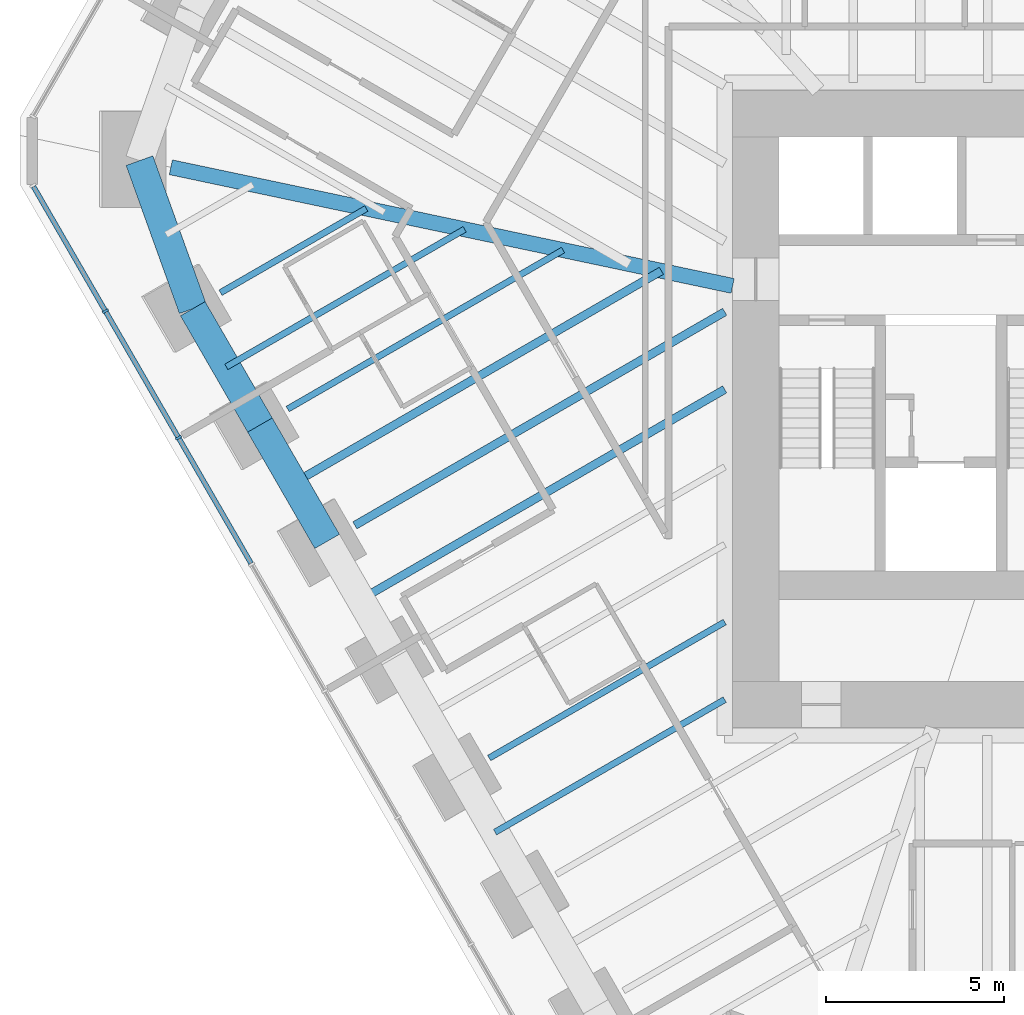
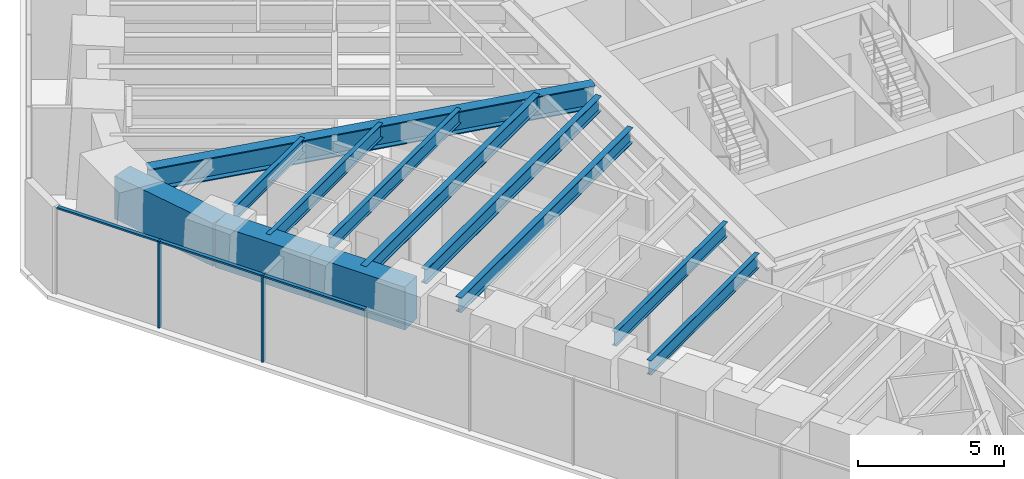
# One storey, part 3 of 17: 12 beams, 5 members, 1 element without a shape of its own.
"""IFC4 building model written with IfcOpenShell, lengths in metres."""

from ifc_helpers import new_model, si_unit, direction, frame, origin, origin_2d, place, context, subcontext, project, spatial, rectangle, i_section, extrude, material, material_profile, profile_set, type_object, element, aggregate, save


model = new_model("IFC4")

# Units and contexts
model_context = context("Model", 3, precision=1e-05, world=origin(), true_north=direction((0.0, 1.0)))
body_context = subcontext(model_context, "Body", "Model", "MODEL_VIEW")
ifc_project = project(units=[si_unit("LENGTHUNIT", "METRE"), si_unit("AREAUNIT", "SQUARE_METRE"), si_unit("VOLUMEUNIT", "CUBIC_METRE"), si_unit("PLANEANGLEUNIT", "RADIAN"), si_unit("MASSUNIT", "GRAM", prefix="KILO")], contexts=[model_context])

# Site, building, storey
site_placement = place(None, origin())
site = spatial("IfcSite", under=ifc_project, at=site_placement, CompositionType="ELEMENT")
building_placement = place(site_placement, origin())
building = spatial("IfcBuilding", under=site, at=building_placement, Name="Sandreach Pilgrim Tower", CompositionType="ELEMENT")
storey_placement = place(building_placement, frame((0.0, 0.0, 165.199951171875)))
storey = spatial("IfcBuildingStorey", under=building, at=storey_placement, Name="L41", CompositionType="ELEMENT", Elevation=165.199951171875)

# Curtain wall, members
ifc_material_1 = material(Name="Aluminium framed curtain wall", Category="aluminium")
curtain_wall_type = type_object("IfcCurtainWallType", Name="Hotel tower curtain wall", PredefinedType="NOTDEFINED", material=ifc_material_1)
curtain_wall_placement = place(storey_placement, origin())
curtain_wall = element("IfcCurtainWall", 1, at=curtain_wall_placement, inside=storey, type_object=curtain_wall_type, Name="CW-2 L41 SW", PredefinedType="NOTDEFINED")
ifc_material_2 = material(Name="Aluminium extrusion", Category="aluminium")
ifc_material_profile_1 = material_profile(ifc_material_2, rectangle(XDim=0.06494140625, YDim=0.179931640625, at=origin_2d()), Name="CW-2M 65X180")
ifc_profile_set_1 = profile_set([ifc_material_profile_1], Name="Aluminium extrusion")
member_type_1 = type_object("IfcMemberType", Name="CW-2 mullion", PredefinedType="MULLION", material=ifc_profile_set_1)
member_1_placement = place(storey_placement, frame((-24.614013671875, -2.35498046875, 0.0), z_axis=(0.0, 0.0, 1.0), x_axis=(-0.5, 0.866025403784, 0.0)))
member_1 = element("IfcMember", 2, at=member_1_placement, type_object=member_type_1, Name="CW-2 mullion 8", PredefinedType="MULLION", context=body_context, shape_type="SweptSolid", body=[
    extrude(rectangle(XDim=0.06494140625, YDim=0.179931640625, at=origin_2d()), origin(), (0.0, 0.0, 1.0), 3.64013671875),
])
member_2_placement = place(storey_placement, frame((-26.66748046875, 1.20166015625, 0.0), z_axis=(0.0, 0.0, 1.0), x_axis=(-0.5, 0.866025403784, 0.0)))
member_2 = element("IfcMember", 3, at=member_2_placement, type_object=member_type_1, Name="CW-2 mullion 9", PredefinedType="MULLION", context=body_context, shape_type="SweptSolid", body=[
    extrude(rectangle(XDim=0.06494140625, YDim=0.179931640625, at=origin_2d()), origin(), (0.0, 0.0, 1.0), 3.64013671875),
])
ifc_material_3 = material(Name="Aluminium extrusion", Category="aluminium")
ifc_material_profile_2 = material_profile(ifc_material_3, rectangle(XDim=0.139892578125, YDim=0.070068359375, at=origin_2d()), Name="CW-2T 140X70")
ifc_profile_set_2 = profile_set([ifc_material_profile_2], Name="Aluminium extrusion")
member_type_2 = type_object("IfcMemberType", Name="CW-2 transom", PredefinedType="USERDEFINED", material=ifc_profile_set_2)
member_3_placement = place(storey_placement, frame((-22.57666015625, -5.883544921875, 3.60498046875), z_axis=(-0.500023973715, 0.866011562111, 0.0), x_axis=(-0.866011562111, -0.500023973715, 0.0)))
member_3 = element("IfcMember", 4, at=member_3_placement, type_object=member_type_2, Name="CW-2 head transom 7", ObjectType="TRANSOM", PredefinedType="USERDEFINED", context=body_context, shape_type="SweptSolid", body=[
    extrude(rectangle(XDim=0.139892578125, YDim=0.070068359375, at=origin_2d()), origin(), (0.0, 0.0, 1.0), 4.041748046875),
])
member_4_placement = place(storey_placement, frame((-24.630126953125, -2.326904296875, 3.60498046875), z_axis=(-0.499997818338, 0.866026663364, 0.0), x_axis=(-0.866026663364, -0.499997818338, 0.0)))
member_4 = element("IfcMember", 5, at=member_4_placement, type_object=member_type_2, Name="CW-2 head transom 8", ObjectType="TRANSOM", PredefinedType="USERDEFINED", context=body_context, shape_type="SweptSolid", body=[
    extrude(rectangle(XDim=0.139892578125, YDim=0.070068359375, at=origin_2d()), origin(), (0.0, 0.0, 1.0), 4.0419921875),
])
member_5_placement = place(storey_placement, frame((-26.68359375, 1.229736328125, 3.60498046875), z_axis=(-0.500015851672, 0.866016251624, 0.0), x_axis=(-0.866016251624, -0.500015851672, 0.0)))
member_5 = element("IfcMember", 6, at=member_5_placement, type_object=member_type_2, Name="CW-2 head transom 9", ObjectType="TRANSOM", PredefinedType="USERDEFINED", context=body_context, shape_type="SweptSolid", body=[
    extrude(rectangle(XDim=0.139892578125, YDim=0.070068359375, at=origin_2d()), origin(), (0.0, 0.0, 1.0), 4.009521484375),
])
aggregate(curtain_wall, [member_1, member_2, member_3, member_4, member_5])

# Beams
ifc_material_4 = material(Name="Steel ASTM A992 Grade 50", Category="steel")
ifc_material_profile_3 = material_profile(ifc_material_4, i_section(OverallWidth=0.424072265625, OverallDepth=0.947509765625, WebThickness=0.02392578125, FlangeThickness=0.042724609375, at=origin_2d()), Name="W36X302")
ifc_profile_set_3 = profile_set([ifc_material_profile_3], Name="Steel ASTM A992 Grade 50")
beam_type_1 = type_object("IfcBeamType", Name="Corner girder W36X302", PredefinedType="BEAM", material=ifc_profile_set_3)
beam_1_placement = place(storey_placement, frame((-24.830810546875, 5.24267578125, 3.166259765625), z_axis=(0.978427553331, -0.206590229398, 0.0), x_axis=(0.206590229398, 0.978427553331, 0.0)))
element("IfcBeam", 7, at=beam_1_placement, inside=storey, type_object=beam_type_1, Name="BM L41 CG35", PredefinedType="BEAM", context=body_context, shape_type="SweptSolid", body=[
    extrude(i_section(OverallWidth=0.424072265625, OverallDepth=0.947509765625, WebThickness=0.02392578125, FlangeThickness=0.042724609375, at=origin_2d()), origin(), (0.0, 0.0, 1.0), 16.128662109375),
])
ifc_material_5 = material(Name="Steel ASTM A992 Grade 50", Category="steel")
ifc_material_profile_4 = material_profile(ifc_material_5, i_section(OverallWidth=0.1787109375, OverallDepth=0.60205078125, WebThickness=0.010986328125, FlangeThickness=0.014892578125, at=origin_2d()), Name="W24X62")
ifc_profile_set_4 = profile_set([ifc_material_profile_4], Name="Steel ASTM A992 Grade 50")
beam_type_2 = type_object("IfcBeamType", Name="Floor beam W24X62", PredefinedType="BEAM", material=ifc_profile_set_4)
beam_2_placement = place(storey_placement, frame((-15.88818359375, -11.3515625, 3.339111328125), z_axis=(0.86602806469, 0.499995391149, 0.0), x_axis=(-0.499995391149, 0.86602806469, 0.0)))
element("IfcBeam", 8, at=beam_2_placement, inside=storey, type_object=beam_type_2, Name="BM L41 F30", PredefinedType="BEAM", context=body_context, shape_type="SweptSolid", body=[
    extrude(i_section(OverallWidth=0.1787109375, OverallDepth=0.60205078125, WebThickness=0.010986328125, FlangeThickness=0.014892578125, at=origin_2d()), origin(), (0.0, 0.0, 1.0), 7.6396484375),
])
beam_3_placement = place(storey_placement, frame((-21.5478515625, -1.54833984375, 3.339111328125), z_axis=(0.866022142072, 0.50000564941, 0.0), x_axis=(-0.50000564941, 0.866022142072, 0.0)))
element("IfcBeam", 9, at=beam_3_placement, inside=storey, type_object=beam_type_2, Name="BM L41 F33", PredefinedType="BEAM", context=body_context, shape_type="SweptSolid", body=[
    extrude(i_section(OverallWidth=0.1787109375, OverallDepth=0.60205078125, WebThickness=0.010986328125, FlangeThickness=0.014892578125, at=origin_2d()), origin(), (0.0, 0.0, 1.0), 8.93017578125),
])
beam_4_placement = place(storey_placement, frame((-23.4345703125, 1.719482421875, 3.339111328125), z_axis=(0.866041980557, 0.499971287088, 0.0), x_axis=(-0.499971287088, 0.866041980557, 0.0)))
element("IfcBeam", 10, at=beam_4_placement, inside=storey, type_object=beam_type_2, Name="BM L41 F34", PredefinedType="BEAM", context=body_context, shape_type="SweptSolid", body=[
    extrude(i_section(OverallWidth=0.1787109375, OverallDepth=0.60205078125, WebThickness=0.010986328125, FlangeThickness=0.014892578125, at=origin_2d()), origin(), (0.0, 0.0, 1.0), 4.727783203125),
])
beam_5_placement = place(storey_placement, frame((-15.72412109375, -13.435302734375, 3.339111328125), z_axis=(0.866028424924, 0.499994767197, 0.0), x_axis=(-0.499994767197, 0.866028424924, 0.0)))
element("IfcBeam", 11, at=beam_5_placement, inside=storey, type_object=beam_type_2, Name="BM L41 FM29", PredefinedType="BEAM", context=body_context, shape_type="SweptSolid", body=[
    extrude(i_section(OverallWidth=0.1787109375, OverallDepth=0.60205078125, WebThickness=0.010986328125, FlangeThickness=0.014892578125, at=origin_2d()), origin(), (0.0, 0.0, 1.0), 7.4501953125),
])
beam_6_placement = place(storey_placement, frame((-23.270751953125, -0.364501953125, 3.339111328125), z_axis=(0.866028307959, 0.499994969788, 0.0), x_axis=(-0.499994969788, 0.866028307959, 0.0)))
element("IfcBeam", 12, at=beam_6_placement, inside=storey, type_object=beam_type_2, Name="BM L41 FM33", PredefinedType="BEAM", context=body_context, shape_type="SweptSolid", body=[
    extrude(i_section(OverallWidth=0.1787109375, OverallDepth=0.60205078125, WebThickness=0.010986328125, FlangeThickness=0.014892578125, at=origin_2d()), origin(), (0.0, 0.0, 1.0), 7.72900390625),
])
ifc_material_6 = material(Name="Steel ASTM A992 Grade 50", Category="steel")
ifc_material_profile_5 = material_profile(ifc_material_6, i_section(OverallWidth=0.23046875, OverallDepth=0.6171875, WebThickness=0.01318359375, FlangeThickness=0.022216796875, at=origin_2d()), Name="W24X94")
ifc_profile_set_5 = profile_set([ifc_material_profile_5], Name="Steel ASTM A992 Grade 50")
beam_type_3 = type_object("IfcBeamType", Name="Floor beam W24X94", PredefinedType="BEAM", material=ifc_profile_set_5)
beam_7_placement = place(storey_placement, frame((-19.661376953125, -4.816162109375, 3.33154296875), z_axis=(0.866026643697, 0.499997852403, 0.0), x_axis=(-0.499997852403, 0.866026643697, 0.0)))
element("IfcBeam", 13, at=beam_7_placement, inside=storey, type_object=beam_type_3, Name="BM L41 F32", PredefinedType="BEAM", context=body_context, shape_type="SweptSolid", body=[
    extrude(i_section(OverallWidth=0.23046875, OverallDepth=0.6171875, WebThickness=0.01318359375, FlangeThickness=0.022216796875, at=origin_2d()), origin(), (0.0, 0.0, 1.0), 11.99658203125),
])
beam_8_placement = place(storey_placement, frame((-19.497314453125, -6.89990234375, 3.33154296875), z_axis=(0.866026848204, 0.499997498184, 0.0), x_axis=(-0.499997498184, 0.866026848204, 0.0)))
element("IfcBeam", 14, at=beam_8_placement, inside=storey, type_object=beam_type_3, Name="BM L41 FM31", PredefinedType="BEAM", context=body_context, shape_type="SweptSolid", body=[
    extrude(i_section(OverallWidth=0.23046875, OverallDepth=0.6171875, WebThickness=0.01318359375, FlangeThickness=0.022216796875, at=origin_2d()), origin(), (0.0, 0.0, 1.0), 11.80712890625),
])
beam_9_placement = place(storey_placement, frame((-21.384033203125, -3.632080078125, 3.33154296875), z_axis=(0.866030880463, 0.499990513994, 0.0), x_axis=(-0.499990513994, 0.866030880463, 0.0)))
element("IfcBeam", 15, at=beam_9_placement, inside=storey, type_object=beam_type_3, Name="BM L41 FM32", PredefinedType="BEAM", context=body_context, shape_type="SweptSolid", body=[
    extrude(i_section(OverallWidth=0.23046875, OverallDepth=0.6171875, WebThickness=0.01318359375, FlangeThickness=0.022216796875, at=origin_2d()), origin(), (0.0, 0.0, 1.0), 11.930908203125),
])
ifc_material_7 = material(Name="Concrete 10000 psi", Category="concrete")
ifc_material_profile_6 = material_profile(ifc_material_7, rectangle(XDim=0.800048828125, YDim=1.800048828125, at=origin_2d()), Name="RC800X1800")
ifc_profile_set_6 = profile_set([ifc_material_profile_6], Name="Concrete 10000 psi")
beam_type_4 = type_object("IfcBeamType", Name="Spandrel beam RC800X1800", PredefinedType="SPANDREL", material=ifc_profile_set_6)
beam_10_placement = place(storey_placement, frame((-20.440673828125, -5.26611328125, 2.739990234375), z_axis=(-0.500008086624, 0.86602073492, 0.0), x_axis=(-0.86602073492, -0.500008086624, 0.0)))
element("IfcBeam", 16, at=beam_10_placement, inside=storey, type_object=beam_type_4, Name="BM L41 SP32", PredefinedType="SPANDREL", context=body_context, shape_type="SweptSolid", body=[
    extrude(rectangle(XDim=0.800048828125, YDim=1.800048828125, at=origin_2d()), origin(), (0.0, 0.0, 1.0), 3.7734375),
])
beam_11_placement = place(storey_placement, frame((-22.327392578125, -1.998291015625, 2.739990234375), z_axis=(-0.499987576152, 0.866032576578, 0.0), x_axis=(-0.866032576578, -0.499987576152, 0.0)))
element("IfcBeam", 17, at=beam_11_placement, inside=storey, type_object=beam_type_4, Name="BM L41 SP33", PredefinedType="SPANDREL", context=body_context, shape_type="SweptSolid", body=[
    extrude(rectangle(XDim=0.800048828125, YDim=1.800048828125, at=origin_2d()), origin(), (0.0, 0.0, 1.0), 3.77294921875),
])
beam_12_placement = place(storey_placement, frame((-24.2138671875, 1.269287109375, 2.739990234375), z_axis=(-0.338770315352, 0.940869105368, 0.0), x_axis=(-0.940869105368, -0.338770315352, 0.0)))
element("IfcBeam", 18, at=beam_12_placement, inside=storey, type_object=beam_type_4, Name="BM L41 SP34", PredefinedType="SPANDREL", context=body_context, shape_type="SweptSolid", body=[
    extrude(rectangle(XDim=0.800048828125, YDim=1.800048828125, at=origin_2d()), origin(), (0.0, 0.0, 1.0), 4.420654296875),
])

save(model, "model.ifc")
